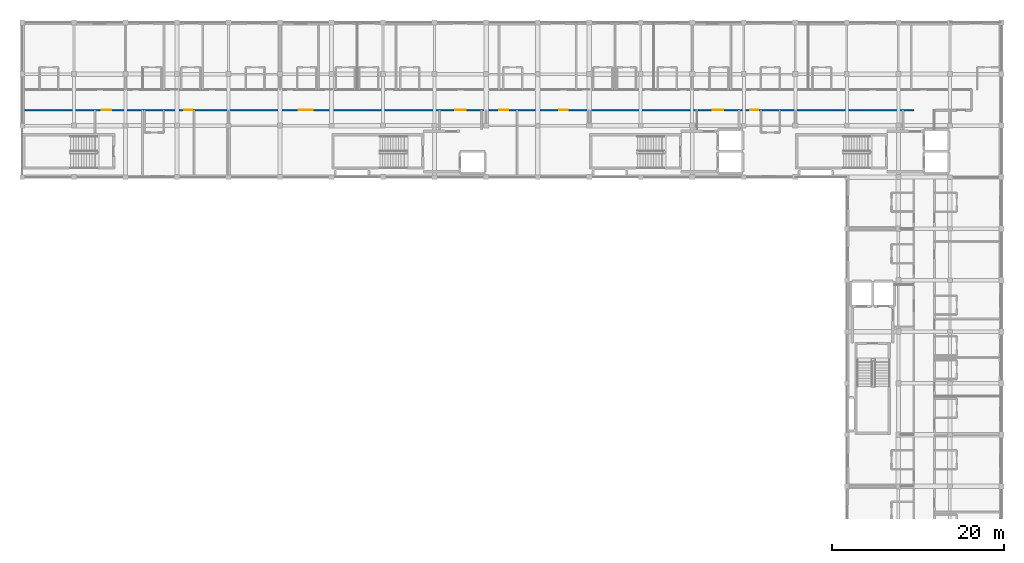
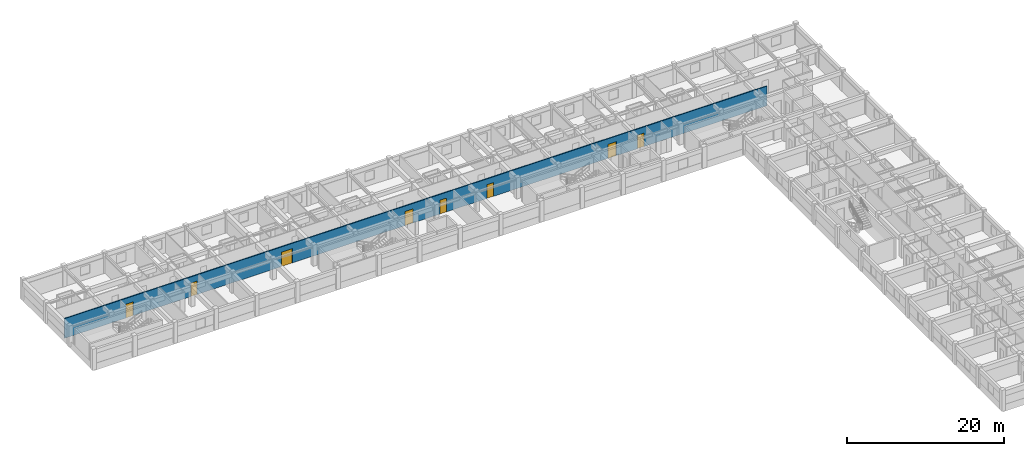
# One storey, part 10 of 21: 8 doors, 1 wall, 8 openings.
"""IFC4 building model written with IfcOpenShell, lengths in metres."""

import ifcopenshell
import ifcopenshell.guid

model = None  # the IFC model being written
_history = None  # IfcOwnerHistory: only IFC2X3 demands one
_inside = {}  # id of a spatial element -> (the spatial element, [elements in it])
_under = {}  # id of a project, library or spatial element -> (it, [spatial elements below it])
_declared = {}  # id of a project -> (the project, [libraries it declares])
_typed = {}  # id of a type object -> (the type object, [elements of that type])
_made_of = {}  # id of a material, layer set ... -> (it, [elements and type objects made of it])


def new_model(schema):
    """Start an empty IFC model of exactly this schema.

    Asked for "IFC4X3", IfcOpenShell would pick the latest addendum, in which some entities
    have other attributes; the version numbers below select the first issue.
    IFC2X3 requires an IfcOwnerHistory on every rooted entity: one is made here for all.
    """
    global model, _history
    if schema == "IFC4X3":
        model = ifcopenshell.file(schema_version=(4, 3, 0, 0))
    else:
        model = ifcopenshell.file(schema=schema)
    _inside.clear()
    _under.clear()
    _declared.clear()
    _typed.clear()
    _made_of.clear()
    _history = None
    if model.schema == "IFC2X3":
        org = make("IfcOrganization", Name="unknown")
        user = make(
            "IfcPersonAndOrganization",
            ThePerson=make("IfcPerson", FamilyName="unknown"),
            TheOrganization=org,
        )
        app = make(
            "IfcApplication",
            ApplicationDeveloper=org,
            Version="unknown",
            ApplicationFullName="unknown",
            ApplicationIdentifier="unknown",
        )
        _history = make(
            "IfcOwnerHistory",
            OwningUser=user,
            OwningApplication=app,
            ChangeAction="ADDED",
            CreationDate=0,
        )
    return model


def make(cls, **values):
    """One entity of the class cls with the attributes given. An attribute that is None is left unset."""
    return model.create_entity(
        cls, **{name: value for name, value in values.items() if value is not None}
    )


def rooted(cls, **values):
    """An entity with a GlobalId (a new one), such as an element, a storey or a relation."""
    return make(cls, GlobalId=ifcopenshell.guid.new(), OwnerHistory=_history, **values)


def si_unit(unit_type, name, prefix=None):
    """IfcSIUnit, for example si_unit("LENGTHUNIT", "METRE", prefix="MILLI")."""
    return make("IfcSIUnit", UnitType=unit_type, Prefix=prefix, Name=name)


def assignment(units):
    """IfcUnitAssignment: the units of a project."""
    return None if units is None else make("IfcUnitAssignment", Units=units)


def point(xyz):
    """IfcCartesianPoint."""
    return None if xyz is None else make("IfcCartesianPoint", Coordinates=xyz)


def direction(xyz):
    """IfcDirection."""
    return None if xyz is None else make("IfcDirection", DirectionRatios=xyz)


def frame(location, z_axis=None, x_axis=None):
    """IfcAxis2Placement3D, a coordinate frame: its origin and axes. An axis left out is left unset."""
    return make(
        "IfcAxis2Placement3D",
        Location=point(location),
        Axis=direction(z_axis),
        RefDirection=direction(x_axis),
    )


def frame_2d(location, x_axis=None):
    """IfcAxis2Placement2D, a coordinate frame in the plane: its origin and x axis."""
    return make(
        "IfcAxis2Placement2D", Location=point(location), RefDirection=direction(x_axis)
    )


def origin():
    """The frame at (0, 0, 0) with its axes left unset."""
    return frame((0.0, 0.0, 0.0))


def place(relative_to, where):
    """IfcLocalPlacement: puts the frame where relative to a parent placement (None: the world)."""
    return make(
        "IfcLocalPlacement", PlacementRelTo=relative_to, RelativePlacement=where
    )


def context(
    kind, dimensions, precision=None, world=None, true_north=None, identifier=None
):
    """IfcGeometricRepresentationContext, for example the 3D "Model" context."""
    return make(
        "IfcGeometricRepresentationContext",
        ContextIdentifier=identifier,
        ContextType=kind,
        CoordinateSpaceDimension=dimensions,
        Precision=precision,
        WorldCoordinateSystem=world,
        TrueNorth=true_north,
    )


def subcontext(parent, identifier, kind, view, scale=None):
    """IfcGeometricRepresentationSubContext, for example "Body" below "Model"."""
    return make(
        "IfcGeometricRepresentationSubContext",
        ContextIdentifier=identifier,
        ContextType=kind,
        ParentContext=parent,
        TargetScale=scale,
        TargetView=view,
    )


def project(units=None, contexts=None):
    """IfcProject with its units and contexts."""
    return rooted(
        "IfcProject",
        Name="project",
        RepresentationContexts=contexts,
        UnitsInContext=assignment(units),
    )


def spatial(cls, under=None, at=None, **own):
    """A site, building, storey or space (cls), placed at a placement, below another one or the project."""
    s = rooted(cls, ObjectPlacement=at, **own)
    if under is not None:
        _under.setdefault(under.id(), (under, []))[1].append(s)
    return s


def profile(cls, at=None, kind="AREA", **sizes):
    """A parametric profile (cls). Its sizes go by their IFC names, for example OverallWidth=200.0."""
    return make(cls, ProfileType=kind, Position=at, **sizes)


def rectangle(**sizes):
    """IfcRectangleProfileDef."""
    return profile("IfcRectangleProfileDef", **sizes)


def extrude(swept, where, along, depth):
    """IfcExtrudedAreaSolid: the profile swept, set in the frame where, extruded along a direction by depth."""
    return make(
        "IfcExtrudedAreaSolid",
        SweptArea=swept,
        Position=where,
        ExtrudedDirection=direction(along),
        Depth=depth,
    )


def shape(context_of_items, identifier, shape_type, items):
    """IfcShapeRepresentation: the items that make up one representation, for example the "Body"."""
    return make(
        "IfcShapeRepresentation",
        ContextOfItems=context_of_items,
        RepresentationIdentifier=identifier,
        RepresentationType=shape_type,
        Items=items,
    )


def material(Name=None, Category=None):
    """IfcMaterial."""
    return make("IfcMaterial", Name=Name, Category=Category)


def layer(
    of_material, thickness, ventilated=None, Name=None, Category=None, Priority=None
):
    """IfcMaterialLayer: one layer of a wall or slab, of a material (None: an air gap)."""
    return make(
        "IfcMaterialLayer",
        Material=of_material,
        LayerThickness=thickness,
        IsVentilated=ventilated,
        Name=Name,
        Category=Category,
        Priority=Priority,
    )


def layer_set(layers, Name=None):
    """IfcMaterialLayerSet."""
    return make("IfcMaterialLayerSet", MaterialLayers=layers, LayerSetName=Name)


def made_of(thing, what):
    """Note that an element or type object is made of a material, layer set ...; save() writes the relation."""
    if what is not None:
        _made_of.setdefault(what.id(), (what, []))[1].append(thing)
    return thing


def type_object(cls, material=None, **own):
    """A type object (cls), such as IfcWallType, which elements share."""
    return made_of(rooted(cls, **own), material)


def element(
    cls,
    number,
    at=None,
    inside=None,
    cuts=None,
    type_object=None,
    material=None,
    context=None,
    identifier="Body",
    shape_type=None,
    held_by="IfcProductDefinitionShape",
    body=None,
    shapes=None,
    **own,
):
    """One element of the class cls, such as IfcWall. Its Tag is "e" and its number.

    at: its placement. inside: the storey or other place that contains it. cuts: it is an
    opening in that element (IfcRelVoidsElement). A single representation is given by context,
    identifier, shape_type and body (its items); several are given by shapes. held_by: the class
    of the entity that holds the representations. save() writes the other relations.
    """
    e = rooted(cls, Tag="e%d" % number, ObjectPlacement=at, **own)
    if body is not None:
        shapes = [shape(context, identifier, shape_type, body)]
    if shapes is not None:
        e.Representation = make(held_by, Representations=shapes)
    if inside is not None:
        _inside.setdefault(inside.id(), (inside, []))[1].append(e)
    if cuts is not None:
        rooted(
            "IfcRelVoidsElement", RelatingBuildingElement=cuts, RelatedOpeningElement=e
        )
    if type_object is not None:
        _typed.setdefault(type_object.id(), (type_object, []))[1].append(e)
    return made_of(e, material)


def fill(opening, filler):
    """IfcRelFillsElement: the door or window that sits in an opening."""
    return rooted(
        "IfcRelFillsElement",
        RelatingOpeningElement=opening,
        RelatedBuildingElement=filler,
    )


def aggregate(whole, parts):
    """IfcRelAggregates: a whole, such as a stair, and the parts it consists of."""
    return rooted("IfcRelAggregates", RelatingObject=whole, RelatedObjects=parts)


def save(model, path):
    """Write the relations noted so far, then the file.

    IfcRelAggregates (storeys below a building ...), IfcRelContainedInSpatialStructure (elements
    in a storey), IfcRelDefinesByType, IfcRelAssociatesMaterial and IfcRelDeclares: one each for
    every whole, place, type object, material and project.
    """
    for whole, parts in _under.values():
        aggregate(whole, parts)
    for where, things in _inside.values():
        rooted(
            "IfcRelContainedInSpatialStructure",
            RelatedElements=things,
            RelatingStructure=where,
        )
    for kind, things in _typed.values():
        rooted("IfcRelDefinesByType", RelatedObjects=things, RelatingType=kind)
    for what, things in _made_of.values():
        rooted("IfcRelAssociatesMaterial", RelatedObjects=things, RelatingMaterial=what)
    for by, libraries in _declared.values():
        rooted("IfcRelDeclares", RelatingContext=by, RelatedDefinitions=libraries)
    model.write(path)


model = new_model("IFC4")

# Units and contexts
model_context = context("Model", 3, precision=1e-05, world=origin(), true_north=direction((0.0, 1.0)))
body_context = subcontext(model_context, "Body", "Model", "MODEL_VIEW")
ifc_project = project(units=[si_unit("LENGTHUNIT", "METRE"), si_unit("AREAUNIT", "SQUARE_METRE"), si_unit("VOLUMEUNIT", "CUBIC_METRE"), si_unit("PLANEANGLEUNIT", "RADIAN"), si_unit("MASSUNIT", "GRAM", prefix="KILO"), si_unit("THERMODYNAMICTEMPERATUREUNIT", "KELVIN"), si_unit("POWERUNIT", "WATT")], contexts=[model_context])

# Site, building, storey
site_placement = place(None, origin())
site = spatial("IfcSite", under=ifc_project, at=site_placement, CompositionType="ELEMENT")
building_placement = place(site_placement, origin())
building = spatial("IfcBuilding", under=site, at=building_placement, Name="Phaisarnlok Congress Hotel", CompositionType="ELEMENT")
storey_placement = place(building_placement, frame((0.0, 0.0, 31.5)))
storey = spatial("IfcBuildingStorey", under=building, at=storey_placement, Name="L07", CompositionType="ELEMENT", Elevation=31.5)

# Wall, openings, doors
ifc_material_1 = material(Name="Acoustic Gypsum Board & Mineral Wool", Category="gypsum")
ifc_layer = layer(ifc_material_1, 0.14990234375, Name="Acoustic Gypsum Board & Mineral Wool")
ifc_layer_set = layer_set([ifc_layer], Name="Acoustic Gypsum Board & Mineral Wool")
wall_type = type_object("IfcWallType", Name="WL-INT-150", PredefinedType="PARTITIONING", material=ifc_layer_set)
wall_placement = place(storey_placement, frame((66.215087890625, 115.800048828125, 0.0), z_axis=(0.0, 0.0, 1.0), x_axis=(1.0, 0.0, 0.0)))
wall = element("IfcWall", 1, at=wall_placement, inside=storey, type_object=wall_type, Name="Interior partition wall IW-05 (L07)", PredefinedType="PARTITIONING", context=body_context, shape_type="SweptSolid", body=[
    extrude(rectangle(XDim=103.5849609375, YDim=0.14990234375, at=frame_2d((51.79248046875, 0.0))), origin(), (0.0, 0.0, 1.0), 3.070068359375),
])
opening_1_placement = place(wall_placement, frame((80.18505859375, 0.0, 0.0)))
opening_1 = element("IfcOpeningElement", 2, at=opening_1_placement, cuts=wall, Name="Opening D-0316", PredefinedType="OPENING", context=body_context, shape_type="SweptSolid", body=[
    extrude(rectangle(XDim=1.199951171875, YDim=2.199951171875, at=frame_2d((0.60009765625, 1.10009765625))), frame((0.0, 0.0849609375, 0.0), z_axis=(0.0, -1.0, 0.0), x_axis=(1.0, 0.0, 0.0)), (0.0, 0.0, 1.0), 0.169921875),
])
opening_2_placement = place(wall_placement, frame((50.18505859375, 0.0, 0.0)))
opening_2 = element("IfcOpeningElement", 3, at=opening_2_placement, cuts=wall, Name="Opening D-0317", PredefinedType="OPENING", context=body_context, shape_type="SweptSolid", body=[
    extrude(rectangle(XDim=1.199951171875, YDim=2.199951171875, at=frame_2d((0.60009765625, 1.10009765625))), frame((0.0, 0.0849609375, 0.0), z_axis=(0.0, -1.0, 0.0), x_axis=(1.0, 0.0, 0.0)), (0.0, 0.0, 1.0), 0.169921875),
])
opening_3_placement = place(wall_placement, frame((9.034912109375, 0.0, 0.0)))
opening_3 = element("IfcOpeningElement", 4, at=opening_3_placement, cuts=wall, Name="Opening D-0319", PredefinedType="OPENING", context=body_context, shape_type="SweptSolid", body=[
    extrude(rectangle(XDim=1.10009765625, YDim=2.14990234375, at=frame_2d((0.550048828125, 1.074951171875))), frame((0.0, 0.0849609375, 0.0), z_axis=(0.0, -1.0, 0.0), x_axis=(1.0, 0.0, 0.0)), (0.0, 0.0, 1.0), 0.169921875),
])
opening_4_placement = place(wall_placement, frame((55.3349609375, 0.0, 0.0)))
opening_4 = element("IfcOpeningElement", 5, at=opening_4_placement, cuts=wall, Name="Opening D-0320", PredefinedType="OPENING", context=body_context, shape_type="SweptSolid", body=[
    extrude(rectangle(XDim=1.0, YDim=2.14990234375, at=frame_2d((0.5, 1.074951171875))), frame((0.0, 0.0849609375, 0.0), z_axis=(0.0, -1.0, 0.0), x_axis=(1.0, 0.0, 0.0)), (0.0, 0.0, 1.0), 0.169921875),
])
opening_5_placement = place(wall_placement, frame((62.304931640625, 0.0, 0.0)))
opening_5 = element("IfcOpeningElement", 6, at=opening_5_placement, cuts=wall, Name="Opening D-0321", PredefinedType="OPENING", context=body_context, shape_type="SweptSolid", body=[
    extrude(rectangle(XDim=0.9599609375, YDim=2.14990234375, at=frame_2d((0.47998046875, 1.074951171875))), frame((0.0, 0.0849609375, 0.0), z_axis=(0.0, -1.0, 0.0), x_axis=(1.0, 0.0, 0.0)), (0.0, 0.0, 1.0), 0.169921875),
])
opening_6_placement = place(wall_placement, frame((31.985107421875, 0.0, 0.0)))
opening_6 = element("IfcOpeningElement", 7, at=opening_6_placement, cuts=wall, Name="Opening D-0322", PredefinedType="OPENING", context=body_context, shape_type="SweptSolid", body=[
    extrude(rectangle(XDim=1.60009765625, YDim=2.25, at=frame_2d((0.800048828125, 1.125))), frame((0.0, 0.0849609375, 0.0), z_axis=(0.0, -1.0, 0.0), x_axis=(1.0, 0.0, 0.0)), (0.0, 0.0, 1.0), 0.169921875),
])
opening_7_placement = place(wall_placement, frame((18.610107421875, 0.0, 0.0)))
opening_7 = element("IfcOpeningElement", 8, at=opening_7_placement, cuts=wall, Name="Opening D-0356", PredefinedType="OPENING", context=body_context, shape_type="SweptSolid", body=[
    extrude(rectangle(XDim=0.949951171875, YDim=2.10009765625, at=frame_2d((0.47509765625, 1.050048828125))), frame((0.0, 0.0849609375, 0.0), z_axis=(0.0, -1.0, 0.0), x_axis=(1.0, 0.0, 0.0)), (0.0, 0.0, 1.0), 0.169921875),
])
opening_8_placement = place(wall_placement, frame((84.510009765625, 0.0, 0.0)))
opening_8 = element("IfcOpeningElement", 9, at=opening_8_placement, cuts=wall, Name="Opening D-0358", PredefinedType="OPENING", context=body_context, shape_type="SweptSolid", body=[
    extrude(rectangle(XDim=0.949951171875, YDim=2.10009765625, at=frame_2d((0.47509765625, 1.050048828125))), frame((0.0, 0.0849609375, 0.0), z_axis=(0.0, -1.0, 0.0), x_axis=(1.0, 0.0, 0.0)), (0.0, 0.0, 1.0), 0.169921875),
])
ifc_material_2 = material(Name="Acoustic Solid-Core Teak Veneer", Category="wood")
door_type_1 = type_object("IfcDoorType", Name="DR-FD30-950", OperationType="NOTDEFINED", PredefinedType="DOOR", material=ifc_material_2)
door_1_placement = place(opening_7_placement, origin())
door_1 = element("IfcDoor", 10, at=door_1_placement, inside=storey, type_object=door_type_1, Name="Interior door D-0356 (L07)", OperationType="SINGLE_SWING_RIGHT", OverallHeight=2.10009765625, OverallWidth=0.949951171875, PredefinedType="DOOR", context=body_context, shape_type="SweptSolid", body=[
    extrude(rectangle(XDim=0.949951171875, YDim=2.10009765625, at=frame_2d((0.47509765625, 1.050048828125))), frame((0.0, 0.02490234375, 0.0), z_axis=(0.0, -1.0, 0.0), x_axis=(1.0, 0.0, 0.0)), (0.0, 0.0, 1.0), 0.050048828125),
])
fill(opening_7, door_1)
door_2_placement = place(opening_8_placement, origin())
door_2 = element("IfcDoor", 11, at=door_2_placement, inside=storey, type_object=door_type_1, Name="Interior door D-0358 (L07)", OperationType="SINGLE_SWING_RIGHT", OverallHeight=2.10009765625, OverallWidth=0.949951171875, PredefinedType="DOOR", context=body_context, shape_type="SweptSolid", body=[
    extrude(rectangle(XDim=0.949951171875, YDim=2.10009765625, at=frame_2d((0.47509765625, 1.050048828125))), frame((0.0, 0.02490234375, 0.0), z_axis=(0.0, -1.0, 0.0), x_axis=(1.0, 0.0, 0.0)), (0.0, 0.0, 1.0), 0.050048828125),
])
fill(opening_8, door_2)
ifc_material_3 = material(Name="Fire-Rated Steel Frame & Timber Leaf", Category="steel")
door_type_2 = type_object("IfcDoorType", Name="DR-FD60-1100", OperationType="NOTDEFINED", PredefinedType="DOOR", material=ifc_material_3)
door_3_placement = place(opening_3_placement, origin())
door_3 = element("IfcDoor", 12, at=door_3_placement, inside=storey, type_object=door_type_2, Name="Interior door D-0319 (L07)", OperationType="SINGLE_SWING_RIGHT", OverallHeight=2.14990234375, OverallWidth=1.10009765625, PredefinedType="DOOR", context=body_context, shape_type="SweptSolid", body=[
    extrude(rectangle(XDim=1.10009765625, YDim=2.14990234375, at=frame_2d((0.550048828125, 1.074951171875))), frame((0.0, 0.02490234375, 0.0), z_axis=(0.0, -1.0, 0.0), x_axis=(1.0, 0.0, 0.0)), (0.0, 0.0, 1.0), 0.050048828125),
])
fill(opening_3, door_3)
door_type_3 = type_object("IfcDoorType", Name="DR-FD60-1200", OperationType="NOTDEFINED", PredefinedType="DOOR", material=ifc_material_3)
door_4_placement = place(opening_1_placement, origin())
door_4 = element("IfcDoor", 13, at=door_4_placement, inside=storey, type_object=door_type_3, Name="Interior door D-0316 (L07)", OperationType="SINGLE_SWING_LEFT", OverallHeight=2.199951171875, OverallWidth=1.199951171875, PredefinedType="DOOR", context=body_context, shape_type="SweptSolid", body=[
    extrude(rectangle(XDim=1.199951171875, YDim=2.199951171875, at=frame_2d((0.60009765625, 1.10009765625))), frame((0.0, 0.02490234375, 0.0), z_axis=(0.0, -1.0, 0.0), x_axis=(1.0, 0.0, 0.0)), (0.0, 0.0, 1.0), 0.050048828125),
])
fill(opening_1, door_4)
door_5_placement = place(opening_2_placement, origin())
door_5 = element("IfcDoor", 14, at=door_5_placement, inside=storey, type_object=door_type_3, Name="Interior door D-0317 (L07)", OperationType="SINGLE_SWING_RIGHT", OverallHeight=2.199951171875, OverallWidth=1.199951171875, PredefinedType="DOOR", context=body_context, shape_type="SweptSolid", body=[
    extrude(rectangle(XDim=1.199951171875, YDim=2.199951171875, at=frame_2d((0.60009765625, 1.10009765625))), frame((0.0, 0.02490234375, 0.0), z_axis=(0.0, -1.0, 0.0), x_axis=(1.0, 0.0, 0.0)), (0.0, 0.0, 1.0), 0.050048828125),
])
fill(opening_2, door_5)
door_type_4 = type_object("IfcDoorType", Name="DR-FD60-950", OperationType="NOTDEFINED", PredefinedType="DOOR", material=ifc_material_3)
door_6_placement = place(opening_5_placement, origin())
door_6 = element("IfcDoor", 15, at=door_6_placement, inside=storey, type_object=door_type_4, Name="Interior door D-0321 (L07)", OperationType="SINGLE_SWING_RIGHT", OverallHeight=2.14990234375, OverallWidth=0.9599609375, PredefinedType="DOOR", context=body_context, shape_type="SweptSolid", body=[
    extrude(rectangle(XDim=0.9599609375, YDim=2.14990234375, at=frame_2d((0.47998046875, 1.074951171875))), frame((0.0, 0.02490234375, 0.0), z_axis=(0.0, -1.0, 0.0), x_axis=(1.0, 0.0, 0.0)), (0.0, 0.0, 1.0), 0.050048828125),
])
fill(opening_5, door_6)
ifc_material_4 = material(Name="Frameless Tempered Acoustic Glass", Category="glass")
door_type_5 = type_object("IfcDoorType", Name="DR-GLZ-1600", OperationType="DOUBLE_DOOR_SINGLE_SWING", PredefinedType="DOOR", material=ifc_material_4)
door_7_placement = place(opening_6_placement, origin())
door_7 = element("IfcDoor", 16, at=door_7_placement, inside=storey, type_object=door_type_5, Name="Interior door D-0322 (L07)", OperationType="DOUBLE_DOOR_SINGLE_SWING", OverallHeight=2.25, OverallWidth=1.60009765625, PredefinedType="DOOR", context=body_context, shape_type="SweptSolid", body=[
    extrude(rectangle(XDim=1.60009765625, YDim=2.25, at=frame_2d((0.800048828125, 1.125))), frame((0.0, 0.02490234375, 0.0), z_axis=(0.0, -1.0, 0.0), x_axis=(1.0, 0.0, 0.0)), (0.0, 0.0, 1.0), 0.050048828125),
])
fill(opening_6, door_7)
ifc_material_5 = material(Name="Solid-Core Oak Veneer", Category="wood")
door_type_6 = type_object("IfcDoorType", Name="DR-INT-1000", OperationType="NOTDEFINED", PredefinedType="DOOR", material=ifc_material_5)
door_8_placement = place(opening_4_placement, origin())
door_8 = element("IfcDoor", 17, at=door_8_placement, inside=storey, type_object=door_type_6, Name="Interior door D-0320 (L07)", OperationType="SINGLE_SWING_LEFT", OverallHeight=2.14990234375, OverallWidth=1.0, PredefinedType="DOOR", context=body_context, shape_type="SweptSolid", body=[
    extrude(rectangle(XDim=1.0, YDim=2.14990234375, at=frame_2d((0.5, 1.074951171875))), frame((0.0, 0.02490234375, 0.0), z_axis=(0.0, -1.0, 0.0), x_axis=(1.0, 0.0, 0.0)), (0.0, 0.0, 1.0), 0.050048828125),
])
fill(opening_4, door_8)

save(model, "model.ifc")
